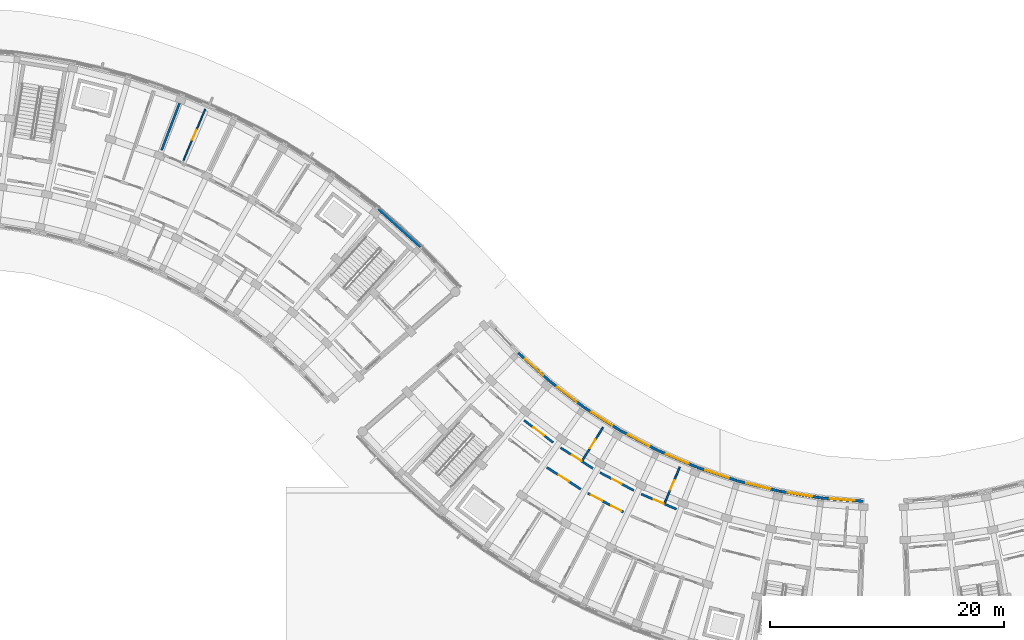
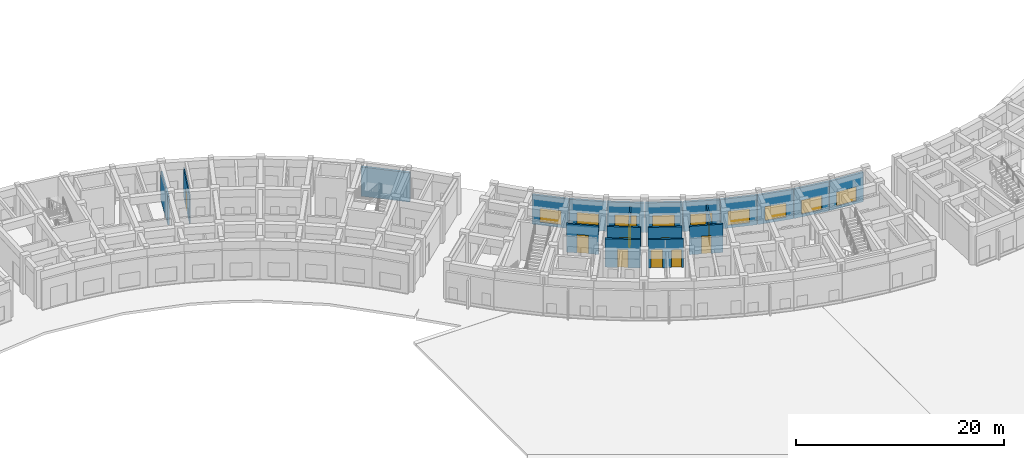
# One storey, part 39 of 61: 20 walls, 10 doors, 9 windows, 19 openings.
"""IFC4 building model written with IfcOpenShell, lengths in metres."""

import ifcopenshell
import ifcopenshell.guid

model = None  # the IFC model being written
_history = None  # IfcOwnerHistory: only IFC2X3 demands one
_inside = {}  # id of a spatial element -> (the spatial element, [elements in it])
_under = {}  # id of a project, library or spatial element -> (it, [spatial elements below it])
_declared = {}  # id of a project -> (the project, [libraries it declares])
_typed = {}  # id of a type object -> (the type object, [elements of that type])
_made_of = {}  # id of a material, layer set ... -> (it, [elements and type objects made of it])


def new_model(schema):
    """Start an empty IFC model of exactly this schema.

    Asked for "IFC4X3", IfcOpenShell would pick the latest addendum, in which some entities
    have other attributes; the version numbers below select the first issue.
    IFC2X3 requires an IfcOwnerHistory on every rooted entity: one is made here for all.
    """
    global model, _history
    if schema == "IFC4X3":
        model = ifcopenshell.file(schema_version=(4, 3, 0, 0))
    else:
        model = ifcopenshell.file(schema=schema)
    _inside.clear()
    _under.clear()
    _declared.clear()
    _typed.clear()
    _made_of.clear()
    _history = None
    if model.schema == "IFC2X3":
        org = make("IfcOrganization", Name="unknown")
        user = make(
            "IfcPersonAndOrganization",
            ThePerson=make("IfcPerson", FamilyName="unknown"),
            TheOrganization=org,
        )
        app = make(
            "IfcApplication",
            ApplicationDeveloper=org,
            Version="unknown",
            ApplicationFullName="unknown",
            ApplicationIdentifier="unknown",
        )
        _history = make(
            "IfcOwnerHistory",
            OwningUser=user,
            OwningApplication=app,
            ChangeAction="ADDED",
            CreationDate=0,
        )
    return model


def make(cls, **values):
    """One entity of the class cls with the attributes given. An attribute that is None is left unset."""
    return model.create_entity(
        cls, **{name: value for name, value in values.items() if value is not None}
    )


def rooted(cls, **values):
    """An entity with a GlobalId (a new one), such as an element, a storey or a relation."""
    return make(cls, GlobalId=ifcopenshell.guid.new(), OwnerHistory=_history, **values)


def si_unit(unit_type, name, prefix=None):
    """IfcSIUnit, for example si_unit("LENGTHUNIT", "METRE", prefix="MILLI")."""
    return make("IfcSIUnit", UnitType=unit_type, Prefix=prefix, Name=name)


def assignment(units):
    """IfcUnitAssignment: the units of a project."""
    return None if units is None else make("IfcUnitAssignment", Units=units)


def point(xyz):
    """IfcCartesianPoint."""
    return None if xyz is None else make("IfcCartesianPoint", Coordinates=xyz)


def direction(xyz):
    """IfcDirection."""
    return None if xyz is None else make("IfcDirection", DirectionRatios=xyz)


def frame(location, z_axis=None, x_axis=None):
    """IfcAxis2Placement3D, a coordinate frame: its origin and axes. An axis left out is left unset."""
    return make(
        "IfcAxis2Placement3D",
        Location=point(location),
        Axis=direction(z_axis),
        RefDirection=direction(x_axis),
    )


def frame_2d(location, x_axis=None):
    """IfcAxis2Placement2D, a coordinate frame in the plane: its origin and x axis."""
    return make(
        "IfcAxis2Placement2D", Location=point(location), RefDirection=direction(x_axis)
    )


def origin():
    """The frame at (0, 0, 0) with its axes left unset."""
    return frame((0.0, 0.0, 0.0))


def place(relative_to, where):
    """IfcLocalPlacement: puts the frame where relative to a parent placement (None: the world)."""
    return make(
        "IfcLocalPlacement", PlacementRelTo=relative_to, RelativePlacement=where
    )


def context(
    kind, dimensions, precision=None, world=None, true_north=None, identifier=None
):
    """IfcGeometricRepresentationContext, for example the 3D "Model" context."""
    return make(
        "IfcGeometricRepresentationContext",
        ContextIdentifier=identifier,
        ContextType=kind,
        CoordinateSpaceDimension=dimensions,
        Precision=precision,
        WorldCoordinateSystem=world,
        TrueNorth=true_north,
    )


def subcontext(parent, identifier, kind, view, scale=None):
    """IfcGeometricRepresentationSubContext, for example "Body" below "Model"."""
    return make(
        "IfcGeometricRepresentationSubContext",
        ContextIdentifier=identifier,
        ContextType=kind,
        ParentContext=parent,
        TargetScale=scale,
        TargetView=view,
    )


def project(units=None, contexts=None):
    """IfcProject with its units and contexts."""
    return rooted(
        "IfcProject",
        Name="project",
        RepresentationContexts=contexts,
        UnitsInContext=assignment(units),
    )


def spatial(cls, under=None, at=None, **own):
    """A site, building, storey or space (cls), placed at a placement, below another one or the project."""
    s = rooted(cls, ObjectPlacement=at, **own)
    if under is not None:
        _under.setdefault(under.id(), (under, []))[1].append(s)
    return s


def profile(cls, at=None, kind="AREA", **sizes):
    """A parametric profile (cls). Its sizes go by their IFC names, for example OverallWidth=200.0."""
    return make(cls, ProfileType=kind, Position=at, **sizes)


def rectangle(**sizes):
    """IfcRectangleProfileDef."""
    return profile("IfcRectangleProfileDef", **sizes)


def extrude(swept, where, along, depth):
    """IfcExtrudedAreaSolid: the profile swept, set in the frame where, extruded along a direction by depth."""
    return make(
        "IfcExtrudedAreaSolid",
        SweptArea=swept,
        Position=where,
        ExtrudedDirection=direction(along),
        Depth=depth,
    )


def shape(context_of_items, identifier, shape_type, items):
    """IfcShapeRepresentation: the items that make up one representation, for example the "Body"."""
    return make(
        "IfcShapeRepresentation",
        ContextOfItems=context_of_items,
        RepresentationIdentifier=identifier,
        RepresentationType=shape_type,
        Items=items,
    )


def material(Name=None, Category=None):
    """IfcMaterial."""
    return make("IfcMaterial", Name=Name, Category=Category)


def layer(
    of_material, thickness, ventilated=None, Name=None, Category=None, Priority=None
):
    """IfcMaterialLayer: one layer of a wall or slab, of a material (None: an air gap)."""
    return make(
        "IfcMaterialLayer",
        Material=of_material,
        LayerThickness=thickness,
        IsVentilated=ventilated,
        Name=Name,
        Category=Category,
        Priority=Priority,
    )


def layer_set(layers, Name=None):
    """IfcMaterialLayerSet."""
    return make("IfcMaterialLayerSet", MaterialLayers=layers, LayerSetName=Name)


def made_of(thing, what):
    """Note that an element or type object is made of a material, layer set ...; save() writes the relation."""
    if what is not None:
        _made_of.setdefault(what.id(), (what, []))[1].append(thing)
    return thing


def type_object(cls, material=None, **own):
    """A type object (cls), such as IfcWallType, which elements share."""
    return made_of(rooted(cls, **own), material)


def element(
    cls,
    number,
    at=None,
    inside=None,
    cuts=None,
    type_object=None,
    material=None,
    context=None,
    identifier="Body",
    shape_type=None,
    held_by="IfcProductDefinitionShape",
    body=None,
    shapes=None,
    **own,
):
    """One element of the class cls, such as IfcWall. Its Tag is "e" and its number.

    at: its placement. inside: the storey or other place that contains it. cuts: it is an
    opening in that element (IfcRelVoidsElement). A single representation is given by context,
    identifier, shape_type and body (its items); several are given by shapes. held_by: the class
    of the entity that holds the representations. save() writes the other relations.
    """
    e = rooted(cls, Tag="e%d" % number, ObjectPlacement=at, **own)
    if body is not None:
        shapes = [shape(context, identifier, shape_type, body)]
    if shapes is not None:
        e.Representation = make(held_by, Representations=shapes)
    if inside is not None:
        _inside.setdefault(inside.id(), (inside, []))[1].append(e)
    if cuts is not None:
        rooted(
            "IfcRelVoidsElement", RelatingBuildingElement=cuts, RelatedOpeningElement=e
        )
    if type_object is not None:
        _typed.setdefault(type_object.id(), (type_object, []))[1].append(e)
    return made_of(e, material)


def fill(opening, filler):
    """IfcRelFillsElement: the door or window that sits in an opening."""
    return rooted(
        "IfcRelFillsElement",
        RelatingOpeningElement=opening,
        RelatedBuildingElement=filler,
    )


def aggregate(whole, parts):
    """IfcRelAggregates: a whole, such as a stair, and the parts it consists of."""
    return rooted("IfcRelAggregates", RelatingObject=whole, RelatedObjects=parts)


def save(model, path):
    """Write the relations noted so far, then the file.

    IfcRelAggregates (storeys below a building ...), IfcRelContainedInSpatialStructure (elements
    in a storey), IfcRelDefinesByType, IfcRelAssociatesMaterial and IfcRelDeclares: one each for
    every whole, place, type object, material and project.
    """
    for whole, parts in _under.values():
        aggregate(whole, parts)
    for where, things in _inside.values():
        rooted(
            "IfcRelContainedInSpatialStructure",
            RelatedElements=things,
            RelatingStructure=where,
        )
    for kind, things in _typed.values():
        rooted("IfcRelDefinesByType", RelatedObjects=things, RelatingType=kind)
    for what, things in _made_of.values():
        rooted("IfcRelAssociatesMaterial", RelatedObjects=things, RelatingMaterial=what)
    for by, libraries in _declared.values():
        rooted("IfcRelDeclares", RelatingContext=by, RelatedDefinitions=libraries)
    model.write(path)


model = new_model("IFC4")

# Units and contexts
model_context = context("Model", 3, precision=1e-05, world=origin(), true_north=direction((0.0, 1.0)))
body_context = subcontext(model_context, "Body", "Model", "MODEL_VIEW")
ifc_project = project(units=[si_unit("LENGTHUNIT", "METRE"), si_unit("AREAUNIT", "SQUARE_METRE"), si_unit("VOLUMEUNIT", "CUBIC_METRE"), si_unit("PLANEANGLEUNIT", "RADIAN"), si_unit("MASSUNIT", "GRAM", prefix="KILO")], contexts=[model_context])

# Site, building, storey
site_placement = place(None, origin())
site = spatial("IfcSite", under=ifc_project, at=site_placement, CompositionType="ELEMENT")
building_placement = place(site_placement, origin())
building = spatial("IfcBuilding", under=site, at=building_placement, Name="Zimvara Arc Housing Community", CompositionType="ELEMENT")
storey_placement = place(building_placement, origin())
storey = spatial("IfcBuildingStorey", under=building, at=storey_placement, Name="L00", CompositionType="ELEMENT", Elevation=0.0)

# Wall, opening, window
ifc_material_1 = material(Name="Board-Marked Fair-Faced Concrete C35/45", Category="concrete")
ifc_layer_1 = layer(ifc_material_1, 0.22998046875)
ifc_layer_set_1 = layer_set([ifc_layer_1], Name="Board-Marked Fair-Faced Concrete C35/45")
wall_type_1 = type_object("IfcWallType", Name="EWL-CONC-230", PredefinedType="SOLIDWALL", material=ifc_layer_set_1)
wall_1_placement = place(storey_placement, frame((94.8203125, 77.92333984375, 0.0), z_axis=(0.0, 0.0, 1.0), x_axis=(0.743385092197, -0.668863666751, 0.0)))
wall_1 = element("IfcWall", 1, at=wall_1_placement, inside=storey, type_object=wall_type_1, Name="ewall:blkC:L00:in:b1", PredefinedType="SOLIDWALL", context=body_context, shape_type="SweptSolid", body=[
    extrude(rectangle(XDim=3.603759765625, YDim=0.22998046875, at=frame_2d((1.8017578125, 0.0))), origin(), (0.0, 0.0, 1.0), 3.449951171875),
])
opening_1_placement = place(wall_1_placement, frame((0.751708984375, 0.0, 0.320068359375)))
opening_1 = element("IfcOpeningElement", 2, at=opening_1_placement, cuts=wall_1, Name="Opening W09", PredefinedType="OPENING", context=body_context, shape_type="SweptSolid", body=[
    extrude(rectangle(XDim=2.10009765625, YDim=1.64990234375, at=frame_2d((1.050048828125, 0.824951171875))), frame((0.0, 0.125, 0.0), z_axis=(0.0, -1.0, 0.0), x_axis=(1.0, 0.0, 0.0)), (0.0, 0.0, 1.0), 0.25),
])
ifc_material_2 = material(Name="Solar Control Low-E Double Glazing", Category="glass")
window_type = type_object("IfcWindowType", Name="WIN-RES-2100x1650", PartitioningType="TRIPLE_PANEL_VERTICAL", PredefinedType="WINDOW", material=ifc_material_2)
window_1_placement = place(opening_1_placement, origin())
window_1 = element("IfcWindow", 3, at=window_1_placement, inside=storey, type_object=window_type, Name="win:blkC:L00:in:b1", OverallHeight=1.64990234375, OverallWidth=2.10009765625, PartitioningType="TRIPLE_PANEL_VERTICAL", PredefinedType="WINDOW", context=body_context, shape_type="SweptSolid", body=[
    extrude(rectangle(XDim=2.10009765625, YDim=1.64990234375, at=frame_2d((1.050048828125, 0.824951171875))), frame((0.0, 0.030029296875, 0.0), z_axis=(0.0, -1.0, 0.0), x_axis=(1.0, 0.0, 0.0)), (0.0, 0.0, 1.0), 0.06005859375),
])
fill(opening_1, window_1)

wall_2_placement = place(storey_placement, frame((97.530029296875, 75.487548828125, 0.0), z_axis=(0.0, 0.0, 1.0), x_axis=(0.795473707045, -0.605988103349, 0.0)))
wall_2 = element("IfcWall", 4, at=wall_2_placement, inside=storey, type_object=wall_type_1, Name="ewall:blkC:L00:in:b2", PredefinedType="SOLIDWALL", context=body_context, shape_type="SweptSolid", body=[
    extrude(rectangle(XDim=3.603759765625, YDim=0.22998046875, at=frame_2d((1.8017578125, 0.0))), origin(), (0.0, 0.0, 1.0), 3.449951171875),
])
opening_2_placement = place(wall_2_placement, frame((0.751708984375, 0.0, 0.320068359375)))
opening_2 = element("IfcOpeningElement", 5, at=opening_2_placement, cuts=wall_2, Name="Opening W09", PredefinedType="OPENING", context=body_context, shape_type="SweptSolid", body=[
    extrude(rectangle(XDim=2.10009765625, YDim=1.64990234375, at=frame_2d((1.050048828125, 0.824951171875))), frame((0.0, 0.125, 0.0), z_axis=(0.0, -1.0, 0.0), x_axis=(1.0, 0.0, 0.0)), (0.0, 0.0, 1.0), 0.25),
])
window_2_placement = place(opening_2_placement, origin())
window_2 = element("IfcWindow", 6, at=window_2_placement, inside=storey, type_object=window_type, Name="win:blkC:L00:in:b2", OverallHeight=1.64990234375, OverallWidth=2.10009765625, PartitioningType="TRIPLE_PANEL_VERTICAL", PredefinedType="WINDOW", context=body_context, shape_type="SweptSolid", body=[
    extrude(rectangle(XDim=2.10009765625, YDim=1.64990234375, at=frame_2d((1.050048828125, 0.824951171875))), frame((0.0, 0.030029296875, 0.0), z_axis=(0.0, -1.0, 0.0), x_axis=(1.0, 0.0, 0.0)), (0.0, 0.0, 1.0), 0.06005859375),
])
fill(opening_2, window_2)

wall_3_placement = place(storey_placement, frame((100.429443359375, 73.28076171875, 0.0), z_axis=(0.0, 0.0, 1.0), x_axis=(0.84225540507, -0.539078688718, 0.0)))
wall_3 = element("IfcWall", 7, at=wall_3_placement, inside=storey, type_object=wall_type_1, Name="ewall:blkC:L00:in:b3", PredefinedType="SOLIDWALL", context=body_context, shape_type="SweptSolid", body=[
    extrude(rectangle(XDim=3.603515625, YDim=0.22998046875, at=frame_2d((1.8017578125, 0.0))), origin(), (0.0, 0.0, 1.0), 3.449951171875),
])
opening_3_placement = place(wall_3_placement, frame((0.751708984375, 0.0, 0.320068359375)))
opening_3 = element("IfcOpeningElement", 8, at=opening_3_placement, cuts=wall_3, Name="Opening W09", PredefinedType="OPENING", context=body_context, shape_type="SweptSolid", body=[
    extrude(rectangle(XDim=2.10009765625, YDim=1.64990234375, at=frame_2d((1.050048828125, 0.824951171875))), frame((0.0, 0.125, 0.0), z_axis=(0.0, -1.0, 0.0), x_axis=(1.0, 0.0, 0.0)), (0.0, 0.0, 1.0), 0.25),
])
window_3_placement = place(opening_3_placement, origin())
window_3 = element("IfcWindow", 9, at=window_3_placement, inside=storey, type_object=window_type, Name="win:blkC:L00:in:b3", OverallHeight=1.64990234375, OverallWidth=2.10009765625, PartitioningType="TRIPLE_PANEL_VERTICAL", PredefinedType="WINDOW", context=body_context, shape_type="SweptSolid", body=[
    extrude(rectangle(XDim=2.10009765625, YDim=1.64990234375, at=frame_2d((1.050048828125, 0.824951171875))), frame((0.0, 0.030029296875, 0.0), z_axis=(0.0, -1.0, 0.0), x_axis=(1.0, 0.0, 0.0)), (0.0, 0.0, 1.0), 0.06005859375),
])
fill(opening_3, window_3)

wall_4_placement = place(storey_placement, frame((103.4990234375, 71.318115234375, 0.0), z_axis=(0.0, 0.0, 1.0), x_axis=(0.883438308286, -0.468547495407, 0.0)))
wall_4 = element("IfcWall", 10, at=wall_4_placement, inside=storey, type_object=wall_type_1, Name="ewall:blkC:L00:in:b4", PredefinedType="SOLIDWALL", context=body_context, shape_type="SweptSolid", body=[
    extrude(rectangle(XDim=3.603759765625, YDim=0.22998046875, at=frame_2d((1.8017578125, 0.0))), origin(), (0.0, 0.0, 1.0), 3.449951171875),
])
opening_4_placement = place(wall_4_placement, frame((0.751708984375, 0.0, 0.320068359375)))
opening_4 = element("IfcOpeningElement", 11, at=opening_4_placement, cuts=wall_4, Name="Opening W09", PredefinedType="OPENING", context=body_context, shape_type="SweptSolid", body=[
    extrude(rectangle(XDim=2.10009765625, YDim=1.64990234375, at=frame_2d((1.050048828125, 0.824951171875))), frame((0.0, 0.125, 0.0), z_axis=(0.0, -1.0, 0.0), x_axis=(1.0, 0.0, 0.0)), (0.0, 0.0, 1.0), 0.25),
])
window_4_placement = place(opening_4_placement, origin())
window_4 = element("IfcWindow", 12, at=window_4_placement, inside=storey, type_object=window_type, Name="win:blkC:L00:in:b4", OverallHeight=1.64990234375, OverallWidth=2.10009765625, PartitioningType="TRIPLE_PANEL_VERTICAL", PredefinedType="WINDOW", context=body_context, shape_type="SweptSolid", body=[
    extrude(rectangle(XDim=2.10009765625, YDim=1.64990234375, at=frame_2d((1.050048828125, 0.824951171875))), frame((0.0, 0.030029296875, 0.0), z_axis=(0.0, -1.0, 0.0), x_axis=(1.0, 0.0, 0.0)), (0.0, 0.0, 1.0), 0.06005859375),
])
fill(opening_4, window_4)

wall_5_placement = place(storey_placement, frame((106.71875, 69.6123046875, 0.0), z_axis=(0.0, 0.0, 1.0), x_axis=(0.918724004531, -0.394900244997, 0.0)))
wall_5 = element("IfcWall", 13, at=wall_5_placement, inside=storey, type_object=wall_type_1, Name="ewall:blkC:L00:in:b5", PredefinedType="SOLIDWALL", context=body_context, shape_type="SweptSolid", body=[
    extrude(rectangle(XDim=3.603759765625, YDim=0.22998046875, at=frame_2d((1.8017578125, 0.0))), origin(), (0.0, 0.0, 1.0), 3.449951171875),
])
opening_5_placement = place(wall_5_placement, frame((0.751708984375, 0.0, 0.320068359375)))
opening_5 = element("IfcOpeningElement", 14, at=opening_5_placement, cuts=wall_5, Name="Opening W09", PredefinedType="OPENING", context=body_context, shape_type="SweptSolid", body=[
    extrude(rectangle(XDim=2.10009765625, YDim=1.64990234375, at=frame_2d((1.050048828125, 0.824951171875))), frame((0.0, 0.125, 0.0), z_axis=(0.0, -1.0, 0.0), x_axis=(1.0, 0.0, 0.0)), (0.0, 0.0, 1.0), 0.25),
])
window_5_placement = place(opening_5_placement, origin())
window_5 = element("IfcWindow", 15, at=window_5_placement, inside=storey, type_object=window_type, Name="win:blkC:L00:in:b5", OverallHeight=1.64990234375, OverallWidth=2.10009765625, PartitioningType="TRIPLE_PANEL_VERTICAL", PredefinedType="WINDOW", context=body_context, shape_type="SweptSolid", body=[
    extrude(rectangle(XDim=2.10009765625, YDim=1.64990234375, at=frame_2d((1.050048828125, 0.824951171875))), frame((0.0, 0.030029296875, 0.0), z_axis=(0.0, -1.0, 0.0), x_axis=(1.0, 0.0, 0.0)), (0.0, 0.0, 1.0), 0.06005859375),
])
fill(opening_5, window_5)

wall_6_placement = place(storey_placement, frame((110.066650390625, 68.175048828125, 0.0), z_axis=(0.0, 0.0, 1.0), x_axis=(0.947887701822, -0.318604621332, 0.0)))
wall_6 = element("IfcWall", 16, at=wall_6_placement, inside=storey, type_object=wall_type_1, Name="ewall:blkC:L00:in:b6", PredefinedType="SOLIDWALL", context=body_context, shape_type="SweptSolid", body=[
    extrude(rectangle(XDim=3.603759765625, YDim=0.22998046875, at=frame_2d((1.8017578125, 0.0))), origin(), (0.0, 0.0, 1.0), 3.449951171875),
])
opening_6_placement = place(wall_6_placement, frame((0.751708984375, 0.0, 0.320068359375)))
opening_6 = element("IfcOpeningElement", 17, at=opening_6_placement, cuts=wall_6, Name="Opening W09", PredefinedType="OPENING", context=body_context, shape_type="SweptSolid", body=[
    extrude(rectangle(XDim=2.10009765625, YDim=1.64990234375, at=frame_2d((1.050048828125, 0.824951171875))), frame((0.0, 0.125, 0.0), z_axis=(0.0, -1.0, 0.0), x_axis=(1.0, 0.0, 0.0)), (0.0, 0.0, 1.0), 0.25),
])
window_6_placement = place(opening_6_placement, origin())
window_6 = element("IfcWindow", 18, at=window_6_placement, inside=storey, type_object=window_type, Name="win:blkC:L00:in:b6", OverallHeight=1.64990234375, OverallWidth=2.10009765625, PartitioningType="TRIPLE_PANEL_VERTICAL", PredefinedType="WINDOW", context=body_context, shape_type="SweptSolid", body=[
    extrude(rectangle(XDim=2.10009765625, YDim=1.64990234375, at=frame_2d((1.050048828125, 0.824951171875))), frame((0.0, 0.030029296875, 0.0), z_axis=(0.0, -1.0, 0.0), x_axis=(1.0, 0.0, 0.0)), (0.0, 0.0, 1.0), 0.06005859375),
])
fill(opening_6, window_6)

wall_7_placement = place(storey_placement, frame((113.52099609375, 67.015625, 0.0), z_axis=(0.0, 0.0, 1.0), x_axis=(0.970713661797, -0.240239436399, 0.0)))
wall_7 = element("IfcWall", 19, at=wall_7_placement, inside=storey, type_object=wall_type_1, Name="ewall:blkC:L00:in:b7", PredefinedType="SOLIDWALL", context=body_context, shape_type="SweptSolid", body=[
    extrude(rectangle(XDim=3.603515625, YDim=0.22998046875, at=frame_2d((1.8017578125, 0.0))), origin(), (0.0, 0.0, 1.0), 3.449951171875),
])
opening_7_placement = place(wall_7_placement, frame((0.751708984375, 0.0, 0.320068359375)))
opening_7 = element("IfcOpeningElement", 20, at=opening_7_placement, cuts=wall_7, Name="Opening W09", PredefinedType="OPENING", context=body_context, shape_type="SweptSolid", body=[
    extrude(rectangle(XDim=2.10009765625, YDim=1.64990234375, at=frame_2d((1.050048828125, 0.824951171875))), frame((0.0, 0.125, 0.0), z_axis=(0.0, -1.0, 0.0), x_axis=(1.0, 0.0, 0.0)), (0.0, 0.0, 1.0), 0.25),
])
window_7_placement = place(opening_7_placement, origin())
window_7 = element("IfcWindow", 21, at=window_7_placement, inside=storey, type_object=window_type, Name="win:blkC:L00:in:b7", OverallHeight=1.64990234375, OverallWidth=2.10009765625, PartitioningType="TRIPLE_PANEL_VERTICAL", PredefinedType="WINDOW", context=body_context, shape_type="SweptSolid", body=[
    extrude(rectangle(XDim=2.10009765625, YDim=1.64990234375, at=frame_2d((1.050048828125, 0.824951171875))), frame((0.0, 0.030029296875, 0.0), z_axis=(0.0, -1.0, 0.0), x_axis=(1.0, 0.0, 0.0)), (0.0, 0.0, 1.0), 0.06005859375),
])
fill(opening_7, window_7)

wall_8_placement = place(storey_placement, frame((117.05810546875, 66.141845703125, 0.0), z_axis=(0.0, 0.0, 1.0), x_axis=(0.987080874485, -0.160222804952, 0.0)))
wall_8 = element("IfcWall", 22, at=wall_8_placement, inside=storey, type_object=wall_type_1, Name="ewall:blkC:L00:in:b8", PredefinedType="SOLIDWALL", context=body_context, shape_type="SweptSolid", body=[
    extrude(rectangle(XDim=3.603759765625, YDim=0.22998046875, at=frame_2d((1.8017578125, 0.0))), origin(), (0.0, 0.0, 1.0), 3.449951171875),
])
opening_8_placement = place(wall_8_placement, frame((0.751708984375, 0.0, 0.320068359375)))
opening_8 = element("IfcOpeningElement", 23, at=opening_8_placement, cuts=wall_8, Name="Opening W09", PredefinedType="OPENING", context=body_context, shape_type="SweptSolid", body=[
    extrude(rectangle(XDim=2.10009765625, YDim=1.64990234375, at=frame_2d((1.050048828125, 0.824951171875))), frame((0.0, 0.125, 0.0), z_axis=(0.0, -1.0, 0.0), x_axis=(1.0, 0.0, 0.0)), (0.0, 0.0, 1.0), 0.25),
])
window_8_placement = place(opening_8_placement, origin())
window_8 = element("IfcWindow", 24, at=window_8_placement, inside=storey, type_object=window_type, Name="win:blkC:L00:in:b8", OverallHeight=1.64990234375, OverallWidth=2.10009765625, PartitioningType="TRIPLE_PANEL_VERTICAL", PredefinedType="WINDOW", context=body_context, shape_type="SweptSolid", body=[
    extrude(rectangle(XDim=2.10009765625, YDim=1.64990234375, at=frame_2d((1.050048828125, 0.824951171875))), frame((0.0, 0.030029296875, 0.0), z_axis=(0.0, -1.0, 0.0), x_axis=(1.0, 0.0, 0.0)), (0.0, 0.0, 1.0), 0.06005859375),
])
fill(opening_8, window_8)

wall_9_placement = place(storey_placement, frame((120.65478515625, 65.559814453125, 0.0), z_axis=(0.0, 0.0, 1.0), x_axis=(0.996859283449, -0.079193238352, 0.0)))
wall_9 = element("IfcWall", 25, at=wall_9_placement, inside=storey, type_object=wall_type_1, Name="ewall:blkC:L00:in:b9", PredefinedType="SOLIDWALL", context=body_context, shape_type="SweptSolid", body=[
    extrude(rectangle(XDim=3.603759765625, YDim=0.22998046875, at=frame_2d((1.8017578125, 0.0))), origin(), (0.0, 0.0, 1.0), 3.449951171875),
])
opening_9_placement = place(wall_9_placement, frame((0.751708984375, 0.0, 0.320068359375)))
opening_9 = element("IfcOpeningElement", 26, at=opening_9_placement, cuts=wall_9, Name="Opening W09", PredefinedType="OPENING", context=body_context, shape_type="SweptSolid", body=[
    extrude(rectangle(XDim=2.10009765625, YDim=1.64990234375, at=frame_2d((1.050048828125, 0.824951171875))), frame((0.0, 0.125, 0.0), z_axis=(0.0, -1.0, 0.0), x_axis=(1.0, 0.0, 0.0)), (0.0, 0.0, 1.0), 0.25),
])
window_9_placement = place(opening_9_placement, origin())
window_9 = element("IfcWindow", 27, at=window_9_placement, inside=storey, type_object=window_type, Name="win:blkC:L00:in:b9", OverallHeight=1.64990234375, OverallWidth=2.10009765625, PartitioningType="TRIPLE_PANEL_VERTICAL", PredefinedType="WINDOW", context=body_context, shape_type="SweptSolid", body=[
    extrude(rectangle(XDim=2.10009765625, YDim=1.64990234375, at=frame_2d((1.050048828125, 0.824951171875))), frame((0.0, 0.030029296875, 0.0), z_axis=(0.0, -1.0, 0.0), x_axis=(1.0, 0.0, 0.0)), (0.0, 0.0, 1.0), 0.06005859375),
])
fill(opening_9, window_9)

# Wall
ifc_material_3 = material(Name="Board-Marked Fair-Faced Concrete C35/45", Category="concrete")
ifc_layer_2 = layer(ifc_material_3, 0.251953125)
ifc_layer_set_2 = layer_set([ifc_layer_2], Name="Board-Marked Fair-Faced Concrete C35/45")
wall_type_2 = type_object("IfcWallType", Name="EWL-VAR-18", PredefinedType="SOLIDWALL", material=ifc_layer_set_2)
wall_10_placement = place(storey_placement, frame((82.89697265625, 90.21337890625, 0.0), z_axis=(0.0, 0.0, 1.0), x_axis=(0.743387539862, -0.668860946369, 0.0)))
element("IfcWall", 28, at=wall_10_placement, inside=storey, type_object=wall_type_2, Name="ewall:blkB:L00:out:b8", PredefinedType="SOLIDWALL", context=body_context, shape_type="SweptSolid", body=[
    extrude(rectangle(XDim=4.80908203125, YDim=0.251953125, at=frame_2d((2.404541015625, 0.0))), origin(), (0.0, 0.0, 1.0), 3.449951171875),
])

# Wall, opening, door
ifc_material_4 = material(Name="Concrete C35/45", Category="concrete")
ifc_layer_3 = layer(ifc_material_4, 0.18994140625)
ifc_layer_set_3 = layer_set([ifc_layer_3], Name="Concrete C35/45")
wall_type_3 = type_object("IfcWallType", Name="IWL-CORR-190", PredefinedType="SOLIDWALL", material=ifc_layer_set_3)
wall_11_placement = place(storey_placement, frame((95.30908203125, 72.18017578125, 0.0), z_axis=(0.0, 0.0, 1.0), x_axis=(0.795463961918, -0.606000895453, 0.0)))
wall_11 = element("IfcWall", 29, at=wall_11_placement, inside=storey, type_object=wall_type_3, Name="iwall:blkC:L00:ra_div:b2", PredefinedType="SOLIDWALL", context=body_context, shape_type="SweptSolid", body=[
    extrude(rectangle(XDim=3.128662109375, YDim=0.18994140625, at=frame_2d((1.564453125, 0.0))), origin(), (0.0, 0.0, 1.0), 3.340087890625),
])
opening_10_placement = place(wall_11_placement, frame((1.00439453125, 0.0, 0.0)))
opening_10 = element("IfcOpeningElement", 30, at=opening_10_placement, cuts=wall_11, Name="Opening D07", PredefinedType="OPENING", context=body_context, shape_type="SweptSolid", body=[
    extrude(rectangle(XDim=1.1201171875, YDim=2.14990234375, at=frame_2d((0.56005859375, 1.074951171875))), frame((0.0, 0.10498046875, 0.0), z_axis=(0.0, -1.0, 0.0), x_axis=(1.0, 0.0, 0.0)), (0.0, 0.0, 1.0), 0.2099609375),
])
ifc_material_5 = material(Name="Mozambican Hardwood", Category="wood")
door_type_1 = type_object("IfcDoorType", Name="IDR-AMN-1120x2150", OperationType="NOTDEFINED", PredefinedType="DOOR", material=ifc_material_5)
door_1_placement = place(opening_10_placement, origin())
door_1 = element("IfcDoor", 31, at=door_1_placement, inside=storey, type_object=door_type_1, Name="idoor:blkC:L00:ra_d:b2", OperationType="SINGLE_SWING_LEFT", OverallHeight=2.14990234375, OverallWidth=1.1201171875, PredefinedType="DOOR", context=body_context, shape_type="SweptSolid", body=[
    extrude(rectangle(XDim=1.1201171875, YDim=2.14990234375, at=frame_2d((0.56005859375, 1.074951171875))), frame((0.0, 0.02490234375, 0.0), z_axis=(0.0, -1.0, 0.0), x_axis=(1.0, 0.0, 0.0)), (0.0, 0.0, 1.0), 0.050048828125),
])
fill(opening_10, door_1)

wall_12_placement = place(storey_placement, frame((98.4267578125, 69.841064453125, 0.0), z_axis=(0.0, 0.0, 1.0), x_axis=(0.842280895761, -0.539038860043, 0.0)))
wall_12 = element("IfcWall", 32, at=wall_12_placement, inside=storey, type_object=wall_type_3, Name="iwall:blkC:L00:corr_in:b3", PredefinedType="SOLIDWALL", context=body_context, shape_type="SweptSolid", body=[
    extrude(rectangle(XDim=3.268798828125, YDim=0.18994140625, at=frame_2d((1.63427734375, 0.0))), origin(), (0.0, 0.0, 1.0), 3.340087890625),
])
opening_11_placement = place(wall_12_placement, frame((1.154296875, 0.0, 0.0)))
opening_11 = element("IfcOpeningElement", 33, at=opening_11_placement, cuts=wall_12, Name="Opening D04", PredefinedType="OPENING", context=body_context, shape_type="SweptSolid", body=[
    extrude(rectangle(XDim=0.9599609375, YDim=2.10009765625, at=frame_2d((0.47998046875, 1.050048828125))), frame((0.0, 0.10498046875, 0.0), z_axis=(0.0, -1.0, 0.0), x_axis=(1.0, 0.0, 0.0)), (0.0, 0.0, 1.0), 0.2099609375),
])
ifc_material_6 = material(Name="Mozambican Hardwood", Category="wood")
door_type_2 = type_object("IfcDoorType", Name="IDR-RM-0960x2100", OperationType="NOTDEFINED", PredefinedType="DOOR", material=ifc_material_6)
door_2_placement = place(opening_11_placement, origin())
door_2 = element("IfcDoor", 34, at=door_2_placement, inside=storey, type_object=door_type_2, Name="idoor:blkC:L00:in_rm:b3", OperationType="SINGLE_SWING_LEFT", OverallHeight=2.10009765625, OverallWidth=0.9599609375, PredefinedType="DOOR", context=body_context, shape_type="SweptSolid", body=[
    extrude(rectangle(XDim=0.9599609375, YDim=2.10009765625, at=frame_2d((0.47998046875, 1.050048828125))), frame((0.0, 0.02490234375, 0.0), z_axis=(0.0, -1.0, 0.0), x_axis=(1.0, 0.0, 0.0)), (0.0, 0.0, 1.0), 0.050048828125),
])
fill(opening_11, door_2)

wall_13_placement = place(storey_placement, frame((101.78369140625, 67.726318359375, 0.0), z_axis=(0.0, 0.0, 1.0), x_axis=(0.883444301944, -0.468536194293, 0.0)))
wall_13 = element("IfcWall", 35, at=wall_13_placement, inside=storey, type_object=wall_type_3, Name="iwall:blkC:L00:corr_in:b4", PredefinedType="SOLIDWALL", context=body_context, shape_type="SweptSolid", body=[
    extrude(rectangle(XDim=3.268798828125, YDim=0.18994140625, at=frame_2d((1.63427734375, 0.0))), origin(), (0.0, 0.0, 1.0), 3.340087890625),
])
opening_12_placement = place(wall_13_placement, frame((1.184326171875, 0.0, 0.0)))
opening_12 = element("IfcOpeningElement", 36, at=opening_12_placement, cuts=wall_13, Name="Opening D01", PredefinedType="OPENING", context=body_context, shape_type="SweptSolid", body=[
    extrude(rectangle(XDim=0.89990234375, YDim=2.10009765625, at=frame_2d((0.449951171875, 1.050048828125))), frame((0.0, 0.10498046875, 0.0), z_axis=(0.0, -1.0, 0.0), x_axis=(1.0, 0.0, 0.0)), (0.0, 0.0, 1.0), 0.2099609375),
])
ifc_material_7 = material(Name="Mozambican Hardwood", Category="wood")
door_type_3 = type_object("IfcDoorType", Name="IDR-RM-0900x2100", OperationType="NOTDEFINED", PredefinedType="DOOR", material=ifc_material_7)
door_3_placement = place(opening_12_placement, origin())
door_3 = element("IfcDoor", 37, at=door_3_placement, inside=storey, type_object=door_type_3, Name="idoor:blkC:L00:in_rm:b4", OperationType="SINGLE_SWING_RIGHT", OverallHeight=2.10009765625, OverallWidth=0.89990234375, PredefinedType="DOOR", context=body_context, shape_type="SweptSolid", body=[
    extrude(rectangle(XDim=0.89990234375, YDim=2.10009765625, at=frame_2d((0.449951171875, 1.050048828125))), frame((0.0, 0.02490234375, 0.0), z_axis=(0.0, -1.0, 0.0), x_axis=(1.0, 0.0, 0.0)), (0.0, 0.0, 1.0), 0.050048828125),
])
fill(opening_12, door_3)

wall_14_placement = place(storey_placement, frame((105.30224609375, 65.892822265625, 0.0), z_axis=(0.0, 0.0, 1.0), x_axis=(0.918723391052, -0.394901672235, 0.0)))
wall_14 = element("IfcWall", 38, at=wall_14_placement, inside=storey, type_object=wall_type_3, Name="iwall:blkC:L00:corr_in:b5", PredefinedType="SOLIDWALL", context=body_context, shape_type="SweptSolid", body=[
    extrude(rectangle(XDim=3.2685546875, YDim=0.18994140625, at=frame_2d((1.63427734375, 0.0))), origin(), (0.0, 0.0, 1.0), 3.340087890625),
])
opening_13_placement = place(wall_14_placement, frame((1.17431640625, 0.0, 0.0)))
opening_13 = element("IfcOpeningElement", 39, at=opening_13_placement, cuts=wall_14, Name="Opening D02", PredefinedType="OPENING", context=body_context, shape_type="SweptSolid", body=[
    extrude(rectangle(XDim=0.919921875, YDim=2.10009765625, at=frame_2d((0.4599609375, 1.050048828125))), frame((0.0, 0.10498046875, 0.0), z_axis=(0.0, -1.0, 0.0), x_axis=(1.0, 0.0, 0.0)), (0.0, 0.0, 1.0), 0.2099609375),
])
ifc_material_8 = material(Name="Mozambican Hardwood", Category="wood")
door_type_4 = type_object("IfcDoorType", Name="IDR-RM-0920x2100", OperationType="NOTDEFINED", PredefinedType="DOOR", material=ifc_material_8)
door_4_placement = place(opening_13_placement, origin())
door_4 = element("IfcDoor", 40, at=door_4_placement, inside=storey, type_object=door_type_4, Name="idoor:blkC:L00:in_rm:b5", OperationType="SINGLE_SWING_LEFT", OverallHeight=2.10009765625, OverallWidth=0.919921875, PredefinedType="DOOR", context=body_context, shape_type="SweptSolid", body=[
    extrude(rectangle(XDim=0.919921875, YDim=2.10009765625, at=frame_2d((0.4599609375, 1.050048828125))), frame((0.0, 0.02490234375, 0.0), z_axis=(0.0, -1.0, 0.0), x_axis=(1.0, 0.0, 0.0)), (0.0, 0.0, 1.0), 0.050048828125),
])
fill(opening_13, door_4)

ifc_material_9 = material(Name="Concrete C35/45", Category="concrete")
ifc_layer_4 = layer(ifc_material_9, 0.199951171875)
ifc_layer_set_4 = layer_set([ifc_layer_4], Name="Concrete C35/45")
wall_type_4 = type_object("IfcWallType", Name="IWL-CORR-200", PredefinedType="SOLIDWALL", material=ifc_layer_set_4)
wall_15_placement = place(storey_placement, frame((97.252197265625, 68.160888671875, 0.0), z_axis=(0.0, 0.0, 1.0), x_axis=(0.842289466461, -0.53902546757, 0.0)))
wall_15 = element("IfcWall", 41, at=wall_15_placement, inside=storey, type_object=wall_type_4, Name="iwall:blkC:L00:corr_out:b3", PredefinedType="SOLIDWALL", context=body_context, shape_type="SweptSolid", body=[
    extrude(rectangle(XDim=3.43603515625, YDim=0.199951171875, at=frame_2d((1.718017578125, 0.0))), origin(), (0.0, 0.0, 1.0), 3.340087890625),
])
opening_14_placement = place(wall_15_placement, frame((1.2080078125, 0.0, 0.0)))
opening_14 = element("IfcOpeningElement", 42, at=opening_14_placement, cuts=wall_15, Name="Opening FD-FL2", PredefinedType="OPENING", context=body_context, shape_type="SweptSolid", body=[
    extrude(rectangle(XDim=1.02001953125, YDim=2.14990234375, at=frame_2d((0.510009765625, 1.074951171875))), frame((0.0, 0.10986328125, 0.0), z_axis=(0.0, -1.0, 0.0), x_axis=(1.0, 0.0, 0.0)), (0.0, 0.0, 1.0), 0.219970703125),
])
ifc_material_10 = material(Name="Mozambican Hardwood", Category="wood")
door_type_5 = type_object("IfcDoorType", Name="IDR-FLAT-1020x2150", OperationType="NOTDEFINED", PredefinedType="DOOR", material=ifc_material_10)
door_5_placement = place(opening_14_placement, origin())
door_5 = element("IfcDoor", 43, at=door_5_placement, inside=storey, type_object=door_type_5, Name="idoor:blkC:L00:flat:b3", OperationType="SINGLE_SWING_RIGHT", OverallHeight=2.14990234375, OverallWidth=1.02001953125, PredefinedType="DOOR", context=body_context, shape_type="SweptSolid", body=[
    extrude(rectangle(XDim=1.02001953125, YDim=2.14990234375, at=frame_2d((0.510009765625, 1.074951171875))), frame((0.0, 0.02490234375, 0.0), z_axis=(0.0, -1.0, 0.0), x_axis=(1.0, 0.0, 0.0)), (0.0, 0.0, 1.0), 0.050048828125),
])
fill(opening_14, door_5)

# Wall, openings, doors
wall_16_placement = place(storey_placement, frame((100.750244140625, 65.9560546875, 0.0), z_axis=(0.0, 0.0, 1.0), x_axis=(0.883440266101, -0.468543803963, 0.0)))
wall_16 = element("IfcWall", 44, at=wall_16_placement, inside=storey, type_object=wall_type_4, Name="iwall:blkC:L00:corr_out:b4", PredefinedType="SOLIDWALL", context=body_context, shape_type="SweptSolid", body=[
    extrude(rectangle(XDim=3.435791015625, YDim=0.199951171875, at=frame_2d((1.7177734375, 0.0))), origin(), (0.0, 0.0, 1.0), 3.340087890625),
])
opening_15_placement = place(wall_16_placement, frame((0.280029296875, 0.0, 0.0)))
opening_15 = element("IfcOpeningElement", 45, at=opening_15_placement, cuts=wall_16, Name="Opening D07", PredefinedType="OPENING", context=body_context, shape_type="SweptSolid", body=[
    extrude(rectangle(XDim=1.1201171875, YDim=2.14990234375, at=frame_2d((0.56005859375, 1.074951171875))), frame((0.0, 0.10986328125, 0.0), z_axis=(0.0, -1.0, 0.0), x_axis=(1.0, 0.0, 0.0)), (0.0, 0.0, 1.0), 0.219970703125),
])
opening_16_placement = place(wall_16_placement, frame((2.26611328125, 0.0, 0.0)))
opening_16 = element("IfcOpeningElement", 46, at=opening_16_placement, cuts=wall_16, Name="Opening D06", PredefinedType="OPENING", context=body_context, shape_type="SweptSolid", body=[
    extrude(rectangle(XDim=0.949951171875, YDim=2.10009765625, at=frame_2d((0.47509765625, 1.050048828125))), frame((0.0, 0.10986328125, 0.0), z_axis=(0.0, -1.0, 0.0), x_axis=(1.0, 0.0, 0.0)), (0.0, 0.0, 1.0), 0.219970703125),
])
door_6_placement = place(opening_15_placement, origin())
door_6 = element("IfcDoor", 47, at=door_6_placement, inside=storey, type_object=door_type_1, Name="idoor:blkC:L00:amen:b4", OperationType="SINGLE_SWING_RIGHT", OverallHeight=2.14990234375, OverallWidth=1.1201171875, PredefinedType="DOOR", context=body_context, shape_type="SweptSolid", body=[
    extrude(rectangle(XDim=1.1201171875, YDim=2.14990234375, at=frame_2d((0.56005859375, 1.074951171875))), frame((0.0, 0.02490234375, 0.0), z_axis=(0.0, -1.0, 0.0), x_axis=(1.0, 0.0, 0.0)), (0.0, 0.0, 1.0), 0.050048828125),
])
fill(opening_15, door_6)
ifc_material_11 = material(Name="Mozambican Hardwood", Category="wood")
door_type_6 = type_object("IfcDoorType", Name="IDR-AWC-0950x2100", OperationType="NOTDEFINED", PredefinedType="DOOR", material=ifc_material_11)
door_7_placement = place(opening_16_placement, origin())
door_7 = element("IfcDoor", 48, at=door_7_placement, inside=storey, type_object=door_type_6, Name="idoor:blkC:L00:cawc:b4", OperationType="SINGLE_SWING_LEFT", OverallHeight=2.10009765625, OverallWidth=0.949951171875, PredefinedType="DOOR", context=body_context, shape_type="SweptSolid", body=[
    extrude(rectangle(XDim=0.949951171875, YDim=2.10009765625, at=frame_2d((0.47509765625, 1.050048828125))), frame((0.0, 0.02490234375, 0.0), z_axis=(0.0, -1.0, 0.0), x_axis=(1.0, 0.0, 0.0)), (0.0, 0.0, 1.0), 0.050048828125),
])
fill(opening_16, door_7)

# Wall
ifc_material_12 = material(Name="Concrete C35/45", Category="concrete")
ifc_layer_5 = layer(ifc_material_12, 0.18505859375)
ifc_layer_set_5 = layer_set([ifc_layer_5], Name="Concrete C35/45")
wall_type_5 = type_object("IfcWallType", Name="IWL-FLAT-185", PredefinedType="SOLIDWALL", material=ifc_layer_set_5)
wall_17_placement = place(storey_placement, frame((64.388671875, 95.220458984375, 0.0), z_axis=(0.0, 0.0, 1.0), x_axis=(0.357064016205, 0.934079915388, 0.0)))
element("IfcWall", 49, at=wall_17_placement, inside=storey, type_object=wall_type_5, Name="iwall:blkB:L00:party:b4", PredefinedType="SOLIDWALL", context=body_context, shape_type="SweptSolid", body=[
    extrude(rectangle(XDim=4.35009765625, YDim=0.18505859375, at=frame_2d((2.175048828125, 0.0))), origin(), (0.0, 0.0, 1.0), 3.340087890625),
])

# Wall, opening, door
ifc_material_13 = material(Name="Painted Acoustic Plasterboard")
ifc_layer_6 = layer(ifc_material_13, 0.1201171875)
ifc_layer_set_6 = layer_set([ifc_layer_6], Name="Painted Acoustic Plasterboard")
wall_type_6 = type_object("IfcWallType", Name="IWL-PART-120", PredefinedType="PARTITIONING", material=ifc_layer_set_6)
wall_18_placement = place(storey_placement, frame((66.25341796875, 94.359130859375, 0.0), z_axis=(0.0, 0.0, 1.0), x_axis=(0.392156908456, 0.919898341748, 0.0)))
wall_18 = element("IfcWall", 50, at=wall_18_placement, inside=storey, type_object=wall_type_6, Name="iwall:blkB:L00:bed_div:b4", PredefinedType="PARTITIONING", context=body_context, shape_type="SweptSolid", body=[
    extrude(rectangle(XDim=4.75, YDim=0.1201171875, at=frame_2d((2.375, 0.0))), origin(), (0.0, 0.0, 1.0), 3.340087890625),
])
opening_17_placement = place(wall_18_placement, frame((1.9150390625, 0.0, 0.0)))
opening_17 = element("IfcOpeningElement", 51, at=opening_17_placement, cuts=wall_18, Name="Opening D02", PredefinedType="OPENING", context=body_context, shape_type="SweptSolid", body=[
    extrude(rectangle(XDim=0.919921875, YDim=2.10009765625, at=frame_2d((0.4599609375, 1.050048828125))), frame((0.0, 0.070068359375, 0.0), z_axis=(0.0, -1.0, 0.0), x_axis=(1.0, 0.0, 0.0)), (0.0, 0.0, 1.0), 0.14013671875),
])
door_8_placement = place(opening_17_placement, origin())
door_8 = element("IfcDoor", 52, at=door_8_placement, inside=storey, type_object=door_type_4, Name="idoor:blkB:L00:bed_d:b4", OperationType="SINGLE_SWING_RIGHT", OverallHeight=2.10009765625, OverallWidth=0.919921875, PredefinedType="DOOR", context=body_context, shape_type="SweptSolid", body=[
    extrude(rectangle(XDim=0.919921875, YDim=2.10009765625, at=frame_2d((0.4599609375, 1.050048828125))), frame((0.0, 0.02490234375, 0.0), z_axis=(0.0, -1.0, 0.0), x_axis=(1.0, 0.0, 0.0)), (0.0, 0.0, 1.0), 0.050048828125),
])
fill(opening_17, door_8)

ifc_material_14 = material(Name="Painted Acoustic Plasterboard")
ifc_layer_7 = layer(ifc_material_14, 0.14501953125)
ifc_layer_set_7 = layer_set([ifc_layer_7], Name="Painted Acoustic Plasterboard")
wall_type_7 = type_object("IfcWallType", Name="IWL-WET-145", PredefinedType="PARTITIONING", material=ifc_layer_set_7)
wall_19_placement = place(storey_placement, frame((102.0439453125, 71.576904296875, 0.0), z_axis=(0.0, 0.0, 1.0), x_axis=(-0.53015188203, -0.847902696057, 0.0)))
wall_19 = element("IfcWall", 53, at=wall_19_placement, inside=storey, type_object=wall_type_7, Name="iwall:blkC:L00:ens:b3", PredefinedType="PARTITIONING", context=body_context, shape_type="SweptSolid", body=[
    extrude(rectangle(XDim=3.300048828125, YDim=0.14501953125, at=frame_2d((1.64990234375, 0.0))), origin(), (0.0, 0.0, 1.0), 3.340087890625),
])
opening_18_placement = place(wall_19_placement, frame((1.2099609375, 0.0, 0.0)))
opening_18 = element("IfcOpeningElement", 54, at=opening_18_placement, cuts=wall_19, Name="Opening D05", PredefinedType="OPENING", context=body_context, shape_type="SweptSolid", body=[
    extrude(rectangle(XDim=0.8798828125, YDim=2.10009765625, at=frame_2d((0.43994140625, 1.050048828125))), frame((0.0, 0.08251953125, 0.0), z_axis=(0.0, -1.0, 0.0), x_axis=(1.0, 0.0, 0.0)), (0.0, 0.0, 1.0), 0.1650390625),
])
ifc_material_15 = material(Name="Mozambican Hardwood", Category="wood")
door_type_7 = type_object("IfcDoorType", Name="IDR-WC-0880x2100", OperationType="NOTDEFINED", PredefinedType="DOOR", material=ifc_material_15)
door_9_placement = place(opening_18_placement, origin())
door_9 = element("IfcDoor", 55, at=door_9_placement, inside=storey, type_object=door_type_7, Name="idoor:blkC:L00:ens_d:b3", OperationType="SINGLE_SWING_RIGHT", OverallHeight=2.10009765625, OverallWidth=0.8798828125, PredefinedType="DOOR", context=body_context, shape_type="SweptSolid", body=[
    extrude(rectangle(XDim=0.8798828125, YDim=2.10009765625, at=frame_2d((0.43994140625, 1.050048828125))), frame((0.0, 0.02490234375, 0.0), z_axis=(0.0, -1.0, 0.0), x_axis=(1.0, 0.0, 0.0)), (0.0, 0.0, 1.0), 0.050048828125),
])
fill(opening_18, door_9)

wall_20_placement = place(storey_placement, frame((108.5888671875, 68.19384765625, 0.0), z_axis=(0.0, 0.0, 1.0), x_axis=(-0.385151143297, -0.922853507777, 0.0)))
wall_20 = element("IfcWall", 56, at=wall_20_placement, inside=storey, type_object=wall_type_7, Name="iwall:blkC:L00:ens:b5", PredefinedType="PARTITIONING", context=body_context, shape_type="SweptSolid", body=[
    extrude(rectangle(XDim=3.300048828125, YDim=0.14501953125, at=frame_2d((1.64990234375, 0.0))), origin(), (0.0, 0.0, 1.0), 3.340087890625),
])
opening_19_placement = place(wall_20_placement, frame((1.2099609375, 0.0, 0.0)))
opening_19 = element("IfcOpeningElement", 57, at=opening_19_placement, cuts=wall_20, Name="Opening D05", PredefinedType="OPENING", context=body_context, shape_type="SweptSolid", body=[
    extrude(rectangle(XDim=0.8798828125, YDim=2.10009765625, at=frame_2d((0.43994140625, 1.050048828125))), frame((0.0, 0.08251953125, 0.0), z_axis=(0.0, -1.0, 0.0), x_axis=(1.0, 0.0, 0.0)), (0.0, 0.0, 1.0), 0.1650390625),
])
door_10_placement = place(opening_19_placement, origin())
door_10 = element("IfcDoor", 58, at=door_10_placement, inside=storey, type_object=door_type_7, Name="idoor:blkC:L00:ens_d:b5", OperationType="SINGLE_SWING_RIGHT", OverallHeight=2.10009765625, OverallWidth=0.8798828125, PredefinedType="DOOR", context=body_context, shape_type="SweptSolid", body=[
    extrude(rectangle(XDim=0.8798828125, YDim=2.10009765625, at=frame_2d((0.43994140625, 1.050048828125))), frame((0.0, 0.02490234375, 0.0), z_axis=(0.0, -1.0, 0.0), x_axis=(1.0, 0.0, 0.0)), (0.0, 0.0, 1.0), 0.050048828125),
])
fill(opening_19, door_10)

save(model, "model.ifc")
